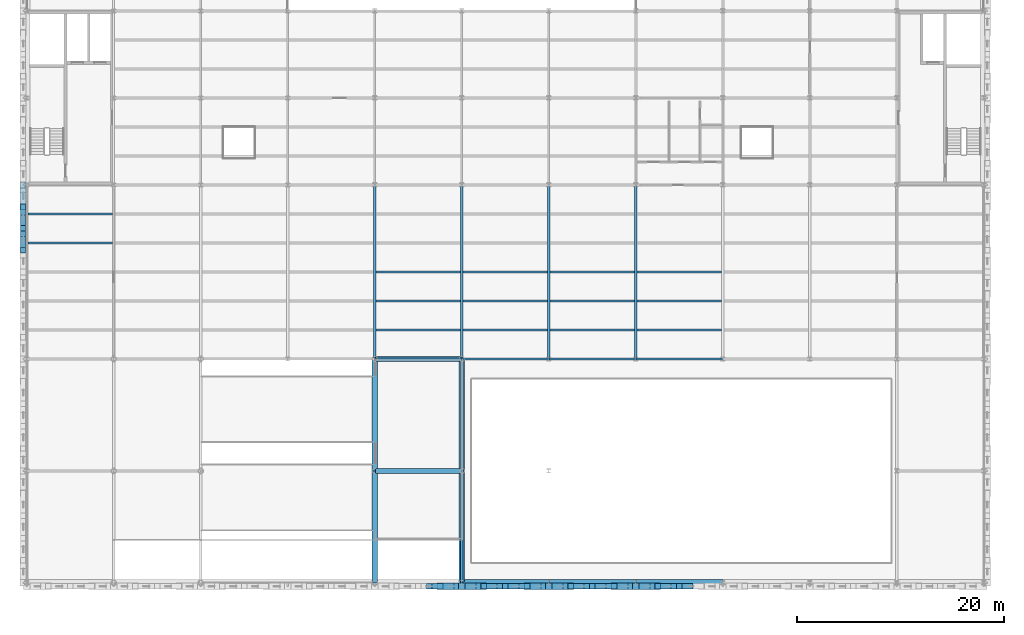
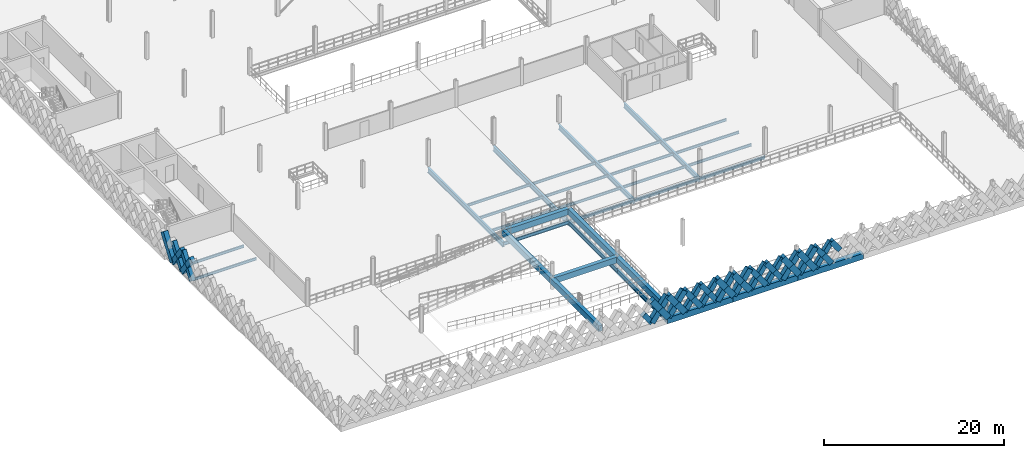
# One storey, part 20 of 79: 42 members, 33 beams.
"""IFC4 building model written with IfcOpenShell, lengths in metres."""

from ifc_helpers import new_model, si_unit, direction, frame, origin, origin_2d, place, context, subcontext, project, spatial, rectangle, i_section, extrude, material, material_profile, profile_set, type_object, element, save


model = new_model("IFC4")

# Units and contexts
model_context = context("Model", 3, precision=1e-05, world=origin(), true_north=direction((0.0, 1.0)))
body_context = subcontext(model_context, "Body", "Model", "MODEL_VIEW")
ifc_project = project(units=[si_unit("LENGTHUNIT", "METRE"), si_unit("AREAUNIT", "SQUARE_METRE"), si_unit("VOLUMEUNIT", "CUBIC_METRE"), si_unit("PLANEANGLEUNIT", "RADIAN"), si_unit("MASSUNIT", "GRAM", prefix="KILO"), si_unit("THERMODYNAMICTEMPERATUREUNIT", "KELVIN"), si_unit("POWERUNIT", "WATT")], contexts=[model_context])

# Site, building, storey
site_placement = place(None, origin())
site = spatial("IfcSite", under=ifc_project, at=site_placement, CompositionType="ELEMENT")
building_placement = place(site_placement, origin())
building = spatial("IfcBuilding", under=site, at=building_placement, Name="Tembeka Court Mobility Hub", CompositionType="ELEMENT")
storey_placement = place(building_placement, frame((0.0, 0.0, 9.0)))
storey = spatial("IfcBuildingStorey", under=building, at=storey_placement, Name="L02", CompositionType="ELEMENT", Elevation=9.0)

# Beams
ifc_material_1 = material(Name="Steel S355", Category="steel")
ifc_material_profile_1 = material_profile(ifc_material_1, i_section(OverallWidth=0.18994140625, OverallDepth=0.45703125, WebThickness=0.009033203125, FlangeThickness=0.014404296875, FilletRadius=0.01025390625, at=origin_2d()), Name="UKB 457x191x74")
ifc_profile_set_1 = profile_set([ifc_material_profile_1], Name="Steel S355")
beam_type_1 = type_object("IfcBeamType", Name="BM-B01", PredefinedType="BEAM", material=ifc_profile_set_1)
for number, where, z_axis, x_axis, name in (
    (1, (33.60009765625, 21.60009765625, -0.448486328125), (1.0, 0.0, 0.0), (0.0, 1.0, 0.0), "Beam B01 (BM-L02-X1197)"),
    (2, (42.0, 21.60009765625, -0.448486328125), (1.0, 0.0, 0.0), (0.0, 1.0, 0.0), "Beam B01 (BM-L02-X1198)"),
):
    element("IfcBeam", number, at=place(storey_placement, frame(where, z_axis=z_axis, x_axis=x_axis)), inside=storey, type_object=beam_type_1, Name=name, PredefinedType="BEAM", context=body_context, shape_type="SweptSolid", body=[
        extrude(i_section(OverallWidth=0.18994140625, OverallDepth=0.45703125, WebThickness=0.009033203125, FlangeThickness=0.014404296875, FilletRadius=0.01025390625, at=origin_2d()), origin(), (0.0, 0.0, 1.0), 8.39990234375),
    ])
beam_1_placement = place(storey_placement, frame((50.39990234375, 21.60009765625, -0.448486328125), z_axis=(1.0, 0.0, 0.0), x_axis=(0.0, 1.0, 0.0)))
element("IfcBeam", 3, at=beam_1_placement, inside=storey, type_object=beam_type_1, Name="Beam B01 (BM-L02-X1199)", PredefinedType="BEAM", context=body_context, shape_type="SweptSolid", body=[
    extrude(i_section(OverallWidth=0.18994140625, OverallDepth=0.45703125, WebThickness=0.009033203125, FlangeThickness=0.014404296875, FilletRadius=0.01025390625, at=origin_2d()), origin(), (0.0, 0.0, 1.0), 8.400146484375),
])
beam_2_placement = place(storey_placement, frame((58.800048828125, 21.60009765625, -0.448486328125), z_axis=(1.0, 0.0, 0.0), x_axis=(0.0, 1.0, 0.0)))
element("IfcBeam", 4, at=beam_2_placement, inside=storey, type_object=beam_type_1, Name="Beam B01 (BM-L02-X1200)", PredefinedType="BEAM", context=body_context, shape_type="SweptSolid", body=[
    extrude(i_section(OverallWidth=0.18994140625, OverallDepth=0.45703125, WebThickness=0.009033203125, FlangeThickness=0.014404296875, FilletRadius=0.01025390625, at=origin_2d()), origin(), (0.0, 0.0, 1.0), 8.39990234375),
])
ifc_material_2 = material(Name="Concrete C40/50", Category="concrete")
ifc_material_profile_2 = material_profile(ifc_material_2, rectangle(XDim=0.5, YDim=0.800048828125, at=origin_2d()), Name="RC-BM 500x800")
ifc_profile_set_2 = profile_set([ifc_material_profile_2], Name="Concrete C40/50")
beam_type_2 = type_object("IfcBeamType", Name="BM-B05", PredefinedType="BEAM", material=ifc_profile_set_2)
for number, where, z_axis, x_axis, name in (
    (5, (33.695068359375, 10.800048828125, 1.14990234375), (1.0, 0.0, 0.0), (0.0, 1.0, 0.0), "Car park vehicle ramp South R2 L02 half-landing tie beam EX2"),
    (6, (33.695068359375, 21.60009765625, 1.14990234375), (1.0, 0.0, 0.0), (0.0, 1.0, 0.0), "Car park vehicle ramp South R2 L02 half-landing tie beam EX3"),
):
    element("IfcBeam", number, at=place(storey_placement, frame(where, z_axis=z_axis, x_axis=x_axis)), inside=storey, type_object=beam_type_2, Name=name, PredefinedType="BEAM", context=body_context, shape_type="SweptSolid", body=[
        extrude(rectangle(XDim=0.5, YDim=0.800048828125, at=origin_2d()), origin(), (0.0, 0.0, 1.0), 8.2099609375),
    ])
for number, where, z_axis, x_axis, name in (
    (7, (33.60009765625, 0.0, 1.14990234375), (0.0, 1.0, 0.0), (-1.0, 0.0, 0.0), "Car park vehicle ramp South R2 L02 half-landing beam EM1"),
    (8, (33.60009765625, 10.800048828125, 1.14990234375), (0.0, 1.0, 0.0), (-1.0, 0.0, 0.0), "Car park vehicle ramp South R2 L02 half-landing beam EM2"),
    (9, (42.0, 0.0, 1.14990234375), (0.0, 1.0, 0.0), (-1.0, 0.0, 0.0), "Car park vehicle ramp South R2 L02 half-landing beam EE1"),
    (10, (42.0, 10.800048828125, 1.14990234375), (0.0, 1.0, 0.0), (-1.0, 0.0, 0.0), "Car park vehicle ramp South R2 L02 half-landing beam EE2"),
):
    element("IfcBeam", number, at=place(storey_placement, frame(where, z_axis=z_axis, x_axis=x_axis)), inside=storey, type_object=beam_type_2, Name=name, PredefinedType="BEAM", context=body_context, shape_type="SweptSolid", body=[
        extrude(rectangle(XDim=0.5, YDim=0.800048828125, at=origin_2d()), origin(), (0.0, 0.0, 1.0), 10.800048828125),
    ])
ifc_material_profile_3 = material_profile(ifc_material_1, i_section(OverallWidth=0.25390625, OverallDepth=0.68408203125, WebThickness=0.012451171875, FlangeThickness=0.01904296875, FilletRadius=0.01513671875, at=origin_2d()), Name="UKB 686x254x140")
ifc_profile_set_3 = profile_set([ifc_material_profile_3], Name="Steel S355")
beam_type_3 = type_object("IfcBeamType", Name="BM-G01", PredefinedType="USERDEFINED", material=ifc_profile_set_3)
for number, where, z_axis, x_axis, name in (
    (11, (33.60009765625, 21.60009765625, -0.56201171875), (0.0, 1.0, 0.0), (-1.0, 0.0, 0.0), "Beam G01 (BM-L02-Y1347)"),
    (12, (42.0, 21.60009765625, -0.56201171875), (0.0, 1.0, 0.0), (-1.0, 0.0, 0.0), "Beam G01 (BM-L02-Y1355)"),
    (13, (50.39990234375, 21.60009765625, -0.56201171875), (0.0, 1.0, 0.0), (-1.0, 0.0, 0.0), "Beam G01 (BM-L02-Y1363)"),
    (14, (58.800048828125, 21.60009765625, -0.56201171875), (0.0, 1.0, 0.0), (-1.0, 0.0, 0.0), "Beam G01 (BM-L02-Y1369)"),
):
    element("IfcBeam", number, at=place(storey_placement, frame(where, z_axis=z_axis, x_axis=x_axis)), inside=storey, type_object=beam_type_3, Name=name, ObjectType="GIRDER", PredefinedType="USERDEFINED", context=body_context, shape_type="SweptSolid", body=[
        extrude(i_section(OverallWidth=0.25390625, OverallDepth=0.68408203125, WebThickness=0.012451171875, FlangeThickness=0.01904296875, FilletRadius=0.01513671875, at=origin_2d()), origin(), (0.0, 0.0, 1.0), 16.7998046875),
    ])
ifc_material_profile_4 = material_profile(ifc_material_1, i_section(OverallWidth=0.22900390625, OverallDepth=0.612060546875, WebThickness=0.011962890625, FlangeThickness=0.01953125, FilletRadius=0.0126953125, at=origin_2d()), Name="UKB 610x229x125")
ifc_profile_set_4 = profile_set([ifc_material_profile_4], Name="Steel S355")
beam_type_4 = type_object("IfcBeamType", Name="BM-G02", PredefinedType="USERDEFINED", material=ifc_profile_set_4)
for number, where, z_axis, x_axis, name in (
    (15, (42.0, 0.0, -0.52587890625), (0.0, 1.0, 0.0), (-1.0, 0.0, 0.0), "Beam G02 (BM-L02-Y1353)"),
    (16, (42.0, 10.800048828125, -0.52587890625), (0.0, 1.0, 0.0), (-1.0, 0.0, 0.0), "Beam G02 (BM-L02-Y1354)"),
):
    element("IfcBeam", number, at=place(storey_placement, frame(where, z_axis=z_axis, x_axis=x_axis)), inside=storey, type_object=beam_type_4, Name=name, ObjectType="GIRDER", PredefinedType="USERDEFINED", context=body_context, shape_type="SweptSolid", body=[
        extrude(i_section(OverallWidth=0.22900390625, OverallDepth=0.612060546875, WebThickness=0.011962890625, FlangeThickness=0.01953125, FilletRadius=0.0126953125, at=origin_2d()), origin(), (0.0, 0.0, 1.0), 10.800048828125),
    ])
ifc_material_profile_5 = material_profile(ifc_material_1, i_section(OverallWidth=0.172119140625, OverallDepth=0.35498046875, WebThickness=0.00732421875, FlangeThickness=0.011474609375, FilletRadius=0.01025390625, at=origin_2d()), Name="UKB 356x171x51")
ifc_profile_set_5 = profile_set([ifc_material_profile_5], Name="Steel S355")
beam_type_5 = type_object("IfcBeamType", Name="BM-J01", PredefinedType="JOIST", material=ifc_profile_set_5)
for number, where, z_axis, x_axis, name in (
    (17, (0.1220703125, 32.800048828125, -0.3974609375), (1.0, 0.0, 0.0), (0.0, 1.0, 0.0), "Beam J01 (JST-L02-1442)"),
    (18, (0.1220703125, 35.60009765625, -0.3974609375), (1.0, 0.0, 0.0), (0.0, 1.0, 0.0), "Beam J01 (JST-L02-1443)"),
    (19, (33.721923828125, 24.39990234375, -0.3974609375), (1.0, 0.0, 0.0), (0.0, 1.0, 0.0), "Beam J01 (JST-L02-1509)"),
    (20, (33.721923828125, 27.199951171875, -0.3974609375), (1.0, 0.0, 0.0), (0.0, 1.0, 0.0), "Beam J01 (JST-L02-1510)"),
    (21, (33.721923828125, 30.0, -0.3974609375), (1.0, 0.0, 0.0), (0.0, 1.0, 0.0), "Beam J01 (JST-L02-1511)"),
    (22, (42.1220703125, 24.39990234375, -0.3974609375), (1.0, 0.0, 0.0), (0.0, 1.0, 0.0), "Beam J01 (JST-L02-1527)"),
    (23, (42.1220703125, 27.199951171875, -0.3974609375), (1.0, 0.0, 0.0), (0.0, 1.0, 0.0), "Beam J01 (JST-L02-1528)"),
    (24, (42.1220703125, 30.0, -0.3974609375), (1.0, 0.0, 0.0), (0.0, 1.0, 0.0), "Beam J01 (JST-L02-1529)"),
    (25, (50.52197265625, 24.39990234375, -0.3974609375), (1.0, 0.0, 0.0), (0.0, 1.0, 0.0), "Beam J01 (JST-L02-1545)"),
    (26, (50.52197265625, 27.199951171875, -0.3974609375), (1.0, 0.0, 0.0), (0.0, 1.0, 0.0), "Beam J01 (JST-L02-1546)"),
    (27, (50.52197265625, 30.0, -0.3974609375), (1.0, 0.0, 0.0), (0.0, 1.0, 0.0), "Beam J01 (JST-L02-1547)"),
):
    element("IfcBeam", number, at=place(storey_placement, frame(where, z_axis=z_axis, x_axis=x_axis)), inside=storey, type_object=beam_type_5, Name=name, PredefinedType="JOIST", context=body_context, shape_type="SweptSolid", body=[
        extrude(i_section(OverallWidth=0.172119140625, OverallDepth=0.35498046875, WebThickness=0.00732421875, FlangeThickness=0.011474609375, FilletRadius=0.01025390625, at=origin_2d()), origin(), (0.0, 0.0, 1.0), 8.156005859375),
    ])
for number, where, z_axis, x_axis, name in (
    (28, (58.922119140625, 24.39990234375, -0.3974609375), (1.0, 0.0, 0.0), (0.0, 1.0, 0.0), "Beam J01 (JST-L02-1563)"),
    (29, (58.922119140625, 27.199951171875, -0.3974609375), (1.0, 0.0, 0.0), (0.0, 1.0, 0.0), "Beam J01 (JST-L02-1564)"),
    (30, (58.922119140625, 30.0, -0.3974609375), (1.0, 0.0, 0.0), (0.0, 1.0, 0.0), "Beam J01 (JST-L02-1565)"),
):
    element("IfcBeam", number, at=place(storey_placement, frame(where, z_axis=z_axis, x_axis=x_axis)), inside=storey, type_object=beam_type_5, Name=name, PredefinedType="JOIST", context=body_context, shape_type="SweptSolid", body=[
        extrude(i_section(OverallWidth=0.172119140625, OverallDepth=0.35498046875, WebThickness=0.00732421875, FlangeThickness=0.011474609375, FilletRadius=0.01025390625, at=origin_2d()), origin(), (0.0, 0.0, 1.0), 8.15576171875),
    ])
ifc_material_3 = material(Name="Precast concrete C45/55", Category="concrete")
ifc_material_profile_6 = material_profile(ifc_material_3, rectangle(XDim=0.64990234375, YDim=0.800048828125, at=origin_2d()), Name="PC-SP 650x800")
ifc_profile_set_6 = profile_set([ifc_material_profile_6], Name="Precast concrete C45/55")
beam_type_6 = type_object("IfcBeamType", Name="BM-SP01", PredefinedType="SPANDREL", material=ifc_profile_set_6)
beam_3_placement = place(storey_placement, frame((42.0, 0.0, -0.6201171875), z_axis=(1.0, 0.0, 0.0), x_axis=(0.0, 1.0, 0.0)))
element("IfcBeam", 31, at=beam_3_placement, inside=storey, type_object=beam_type_6, Name="Beam SP01 (BM-L02-X1174)", PredefinedType="SPANDREL", context=body_context, shape_type="SweptSolid", body=[
    extrude(rectangle(XDim=0.64990234375, YDim=0.800048828125, at=origin_2d()), origin(), (0.0, 0.0, 1.0), 8.39990234375),
])
beam_4_placement = place(storey_placement, frame((50.39990234375, 0.0, -0.6201171875), z_axis=(1.0, 0.0, 0.0), x_axis=(0.0, 1.0, 0.0)))
element("IfcBeam", 32, at=beam_4_placement, inside=storey, type_object=beam_type_6, Name="Beam SP01 (BM-L02-X1175)", PredefinedType="SPANDREL", context=body_context, shape_type="SweptSolid", body=[
    extrude(rectangle(XDim=0.64990234375, YDim=0.800048828125, at=origin_2d()), origin(), (0.0, 0.0, 1.0), 8.400146484375),
])
beam_5_placement = place(storey_placement, frame((58.800048828125, 0.0, -0.6201171875), z_axis=(1.0, 0.0, 0.0), x_axis=(0.0, 1.0, 0.0)))
element("IfcBeam", 33, at=beam_5_placement, inside=storey, type_object=beam_type_6, Name="Beam SP01 (BM-L02-X1176)", PredefinedType="SPANDREL", context=body_context, shape_type="SweptSolid", body=[
    extrude(rectangle(XDim=0.64990234375, YDim=0.800048828125, at=origin_2d()), origin(), (0.0, 0.0, 1.0), 8.39990234375),
])

# Members
ifc_material_profile_7 = material_profile(ifc_material_3, rectangle(XDim=0.5, YDim=0.64990234375, at=origin_2d()), Name="PC-DIAG 500x650")
ifc_profile_set_7 = profile_set([ifc_material_profile_7], Name="Precast concrete C45/55")
member_type_1 = type_object("IfcMemberType", Name="MEM-DL01", PredefinedType="BRACE", material=ifc_profile_set_7)
member_1_placement = place(storey_placement, frame((39.89990234375, -0.340087890625, 0.02001953125), z_axis=(-0.582454804382, 0.0, 0.812863088627), x_axis=(0.0, -1.0, 0.0)))
element("IfcMember", 34, at=member_1_placement, inside=storey, type_object=member_type_1, Name="Precast diamond lattice split lower strand DL01 (L02-207B1)", PredefinedType="BRACE", context=body_context, shape_type="SweptSolid", body=[
    extrude(rectangle(XDim=0.5, YDim=0.64990234375, at=origin_2d()), origin(), (0.0, 0.0, 1.0), 1.802490234375),
])
member_2_placement = place(storey_placement, frame((44.10009765625, -0.340087890625, 0.02001953125), z_axis=(0.58253161945, 0.0, 0.812808041509), x_axis=(0.0, 1.0, 0.0)))
element("IfcMember", 35, at=member_2_placement, inside=storey, type_object=member_type_1, Name="Precast diamond lattice continuous strand DL01 (L02-210A)", PredefinedType="BRACE", context=body_context, shape_type="SweptSolid", body=[
    extrude(rectangle(XDim=0.5, YDim=0.64990234375, at=origin_2d()), origin(), (0.0, 0.0, 1.0), 3.604736328125),
])
member_3_placement = place(storey_placement, frame((46.199951171875, -0.340087890625, 0.02001953125), z_axis=(-0.582544294934, 0.0, 0.812798956963), x_axis=(0.0, -1.0, 0.0)))
element("IfcMember", 36, at=member_3_placement, inside=storey, type_object=member_type_1, Name="Precast diamond lattice split lower strand DL01 (L02-210B1)", PredefinedType="BRACE", context=body_context, shape_type="SweptSolid", body=[
    extrude(rectangle(XDim=0.5, YDim=0.64990234375, at=origin_2d()), origin(), (0.0, 0.0, 1.0), 1.802490234375),
])
member_4_placement = place(storey_placement, frame((45.14990234375, -0.340087890625, 1.485107421875), z_axis=(-0.582518941428, 0.0, 0.812817127574), x_axis=(0.0, -1.0, 0.0)))
element("IfcMember", 37, at=member_4_placement, inside=storey, type_object=member_type_1, Name="Precast diamond lattice split upper strand DL01 (L02-210B2)", PredefinedType="BRACE", context=body_context, shape_type="SweptSolid", body=[
    extrude(rectangle(XDim=0.5, YDim=0.64990234375, at=origin_2d()), origin(), (0.0, 0.0, 1.0), 1.80224609375),
])
member_5_placement = place(storey_placement, frame((46.199951171875, -0.340087890625, 0.02001953125), z_axis=(0.582576362011, 0.0, 0.812775973086), x_axis=(0.0, 1.0, 0.0)))
element("IfcMember", 38, at=member_5_placement, inside=storey, type_object=member_type_1, Name="Precast diamond lattice continuous strand DL01 (L02-211A)", PredefinedType="BRACE", context=body_context, shape_type="SweptSolid", body=[
    extrude(rectangle(XDim=0.5, YDim=0.64990234375, at=origin_2d()), origin(), (0.0, 0.0, 1.0), 3.604736328125),
])
member_6_placement = place(storey_placement, frame((48.300048828125, -0.340087890625, 0.02001953125), z_axis=(-0.582544294934, 0.0, 0.812798956963), x_axis=(0.0, -1.0, 0.0)))
element("IfcMember", 39, at=member_6_placement, inside=storey, type_object=member_type_1, Name="Precast diamond lattice split lower strand DL01 (L02-211B1)", PredefinedType="BRACE", context=body_context, shape_type="SweptSolid", body=[
    extrude(rectangle(XDim=0.5, YDim=0.64990234375, at=origin_2d()), origin(), (0.0, 0.0, 1.0), 1.802490234375),
])
member_7_placement = place(storey_placement, frame((47.25, -0.340087890625, 1.485107421875), z_axis=(-0.582608431711, 0.0, 0.812752985414), x_axis=(0.0, -1.0, 0.0)))
element("IfcMember", 40, at=member_7_placement, inside=storey, type_object=member_type_1, Name="Precast diamond lattice split upper strand DL01 (L02-211B2)", PredefinedType="BRACE", context=body_context, shape_type="SweptSolid", body=[
    extrude(rectangle(XDim=0.5, YDim=0.64990234375, at=origin_2d()), origin(), (0.0, 0.0, 1.0), 1.80224609375),
])
member_8_placement = place(storey_placement, frame((52.5, -0.340087890625, 0.02001953125), z_axis=(0.582576362011, 0.0, 0.812775973086), x_axis=(0.0, 1.0, 0.0)))
element("IfcMember", 41, at=member_8_placement, inside=storey, type_object=member_type_1, Name="Precast diamond lattice continuous strand DL01 (L02-214A)", PredefinedType="BRACE", context=body_context, shape_type="SweptSolid", body=[
    extrude(rectangle(XDim=0.5, YDim=0.64990234375, at=origin_2d()), origin(), (0.0, 0.0, 1.0), 3.604736328125),
])
member_9_placement = place(storey_placement, frame((54.60009765625, -0.340087890625, 0.02001953125), z_axis=(-0.582544294934, 0.0, 0.812798956963), x_axis=(0.0, -1.0, 0.0)))
element("IfcMember", 42, at=member_9_placement, inside=storey, type_object=member_type_1, Name="Precast diamond lattice split lower strand DL01 (L02-214B1)", PredefinedType="BRACE", context=body_context, shape_type="SweptSolid", body=[
    extrude(rectangle(XDim=0.5, YDim=0.64990234375, at=origin_2d()), origin(), (0.0, 0.0, 1.0), 1.802490234375),
])
member_10_placement = place(storey_placement, frame((53.550048828125, -0.340087890625, 1.485107421875), z_axis=(-0.582608431711, 0.0, 0.812752985414), x_axis=(0.0, -1.0, 0.0)))
element("IfcMember", 43, at=member_10_placement, inside=storey, type_object=member_type_1, Name="Precast diamond lattice split upper strand DL01 (L02-214B2)", PredefinedType="BRACE", context=body_context, shape_type="SweptSolid", body=[
    extrude(rectangle(XDim=0.5, YDim=0.64990234375, at=origin_2d()), origin(), (0.0, 0.0, 1.0), 1.80224609375),
])
member_11_placement = place(storey_placement, frame((54.60009765625, -0.340087890625, 0.02001953125), z_axis=(0.58253161945, 0.0, 0.812808041509), x_axis=(0.0, 1.0, 0.0)))
element("IfcMember", 44, at=member_11_placement, inside=storey, type_object=member_type_1, Name="Precast diamond lattice continuous strand DL01 (L02-215A)", PredefinedType="BRACE", context=body_context, shape_type="SweptSolid", body=[
    extrude(rectangle(XDim=0.5, YDim=0.64990234375, at=origin_2d()), origin(), (0.0, 0.0, 1.0), 3.604736328125),
])
member_12_placement = place(storey_placement, frame((56.699951171875, -0.340087890625, 0.02001953125), z_axis=(-0.582544294934, 0.0, 0.812798956963), x_axis=(0.0, -1.0, 0.0)))
element("IfcMember", 45, at=member_12_placement, inside=storey, type_object=member_type_1, Name="Precast diamond lattice split lower strand DL01 (L02-215B1)", PredefinedType="BRACE", context=body_context, shape_type="SweptSolid", body=[
    extrude(rectangle(XDim=0.5, YDim=0.64990234375, at=origin_2d()), origin(), (0.0, 0.0, 1.0), 1.802490234375),
])
member_13_placement = place(storey_placement, frame((55.64990234375, -0.340087890625, 1.485107421875), z_axis=(-0.582518941428, 0.0, 0.812817127574), x_axis=(0.0, -1.0, 0.0)))
element("IfcMember", 46, at=member_13_placement, inside=storey, type_object=member_type_1, Name="Precast diamond lattice split upper strand DL01 (L02-215B2)", PredefinedType="BRACE", context=body_context, shape_type="SweptSolid", body=[
    extrude(rectangle(XDim=0.5, YDim=0.64990234375, at=origin_2d()), origin(), (0.0, 0.0, 1.0), 1.80224609375),
])
member_14_placement = place(storey_placement, frame((60.89990234375, -0.340087890625, 0.02001953125), z_axis=(0.582576362011, 0.0, 0.812775973086), x_axis=(0.0, 1.0, 0.0)))
element("IfcMember", 47, at=member_14_placement, inside=storey, type_object=member_type_1, Name="Precast diamond lattice continuous strand DL01 (L02-218A)", PredefinedType="BRACE", context=body_context, shape_type="SweptSolid", body=[
    extrude(rectangle(XDim=0.5, YDim=0.64990234375, at=origin_2d()), origin(), (0.0, 0.0, 1.0), 3.604736328125),
])
member_15_placement = place(storey_placement, frame((63.0, -0.340087890625, 0.02001953125), z_axis=(-0.582544294934, 0.0, 0.812798956963), x_axis=(0.0, -1.0, 0.0)))
element("IfcMember", 48, at=member_15_placement, inside=storey, type_object=member_type_1, Name="Precast diamond lattice split lower strand DL01 (L02-218B1)", PredefinedType="BRACE", context=body_context, shape_type="SweptSolid", body=[
    extrude(rectangle(XDim=0.5, YDim=0.64990234375, at=origin_2d()), origin(), (0.0, 0.0, 1.0), 1.802490234375),
])
for number, where, z_axis, x_axis, name in (
    (49, (61.949951171875, -0.340087890625, 1.485107421875), (-0.582608431711, 0.0, 0.812752985414), (0.0, -1.0, 0.0), "Precast diamond lattice split upper strand DL01 (L02-218B2)"),
    (50, (64.050048828125, -0.340087890625, 1.485107421875), (-0.582608431711, 0.0, 0.812752985414), (0.0, -1.0, 0.0), "Precast diamond lattice split upper strand DL01 (L02-219B2)"),
):
    element("IfcMember", number, at=place(storey_placement, frame(where, z_axis=z_axis, x_axis=x_axis)), inside=storey, type_object=member_type_1, Name=name, PredefinedType="BRACE", context=body_context, shape_type="SweptSolid", body=[
        extrude(rectangle(XDim=0.5, YDim=0.64990234375, at=origin_2d()), origin(), (0.0, 0.0, 1.0), 1.80224609375),
    ])
member_16_placement = place(storey_placement, frame((-0.340087890625, 32.10009765625, 0.02001953125), z_axis=(0.0, 0.58253161945, 0.812808041509), x_axis=(-1.0, 0.0, 0.0)))
element("IfcMember", 51, at=member_16_placement, inside=storey, type_object=member_type_1, Name="Precast diamond lattice continuous strand DL01 (L02-292C)", PredefinedType="BRACE", context=body_context, shape_type="SweptSolid", body=[
    extrude(rectangle(XDim=0.5, YDim=0.64990234375, at=origin_2d()), origin(), (0.0, 0.0, 1.0), 3.604736328125),
])
member_17_placement = place(storey_placement, frame((-0.340087890625, 34.199951171875, 0.02001953125), z_axis=(0.0, -0.582544294934, 0.812798956963), x_axis=(1.0, 0.0, 0.0)))
element("IfcMember", 52, at=member_17_placement, inside=storey, type_object=member_type_1, Name="Precast diamond lattice split lower strand DL01 (L02-292D1)", PredefinedType="BRACE", context=body_context, shape_type="SweptSolid", body=[
    extrude(rectangle(XDim=0.5, YDim=0.64990234375, at=origin_2d()), origin(), (0.0, 0.0, 1.0), 1.802490234375),
])
member_18_placement = place(storey_placement, frame((-0.340087890625, 33.14990234375, 1.485107421875), z_axis=(0.0, -0.582518941428, 0.812817127574), x_axis=(1.0, 0.0, 0.0)))
element("IfcMember", 53, at=member_18_placement, inside=storey, type_object=member_type_1, Name="Precast diamond lattice split upper strand DL01 (L02-292D2)", PredefinedType="BRACE", context=body_context, shape_type="SweptSolid", body=[
    extrude(rectangle(XDim=0.5, YDim=0.64990234375, at=origin_2d()), origin(), (0.0, 0.0, 1.0), 1.80224609375),
])
member_19_placement = place(storey_placement, frame((-0.340087890625, 34.199951171875, 0.02001953125), z_axis=(0.0, 0.582576362011, 0.812775973086), x_axis=(-1.0, 0.0, 0.0)))
element("IfcMember", 54, at=member_19_placement, inside=storey, type_object=member_type_1, Name="Precast diamond lattice continuous strand DL01 (L02-293C)", PredefinedType="BRACE", context=body_context, shape_type="SweptSolid", body=[
    extrude(rectangle(XDim=0.5, YDim=0.64990234375, at=origin_2d()), origin(), (0.0, 0.0, 1.0), 3.604736328125),
])
member_20_placement = place(storey_placement, frame((-0.340087890625, 36.300048828125, 0.02001953125), z_axis=(0.0, -0.582544294934, 0.812798956963), x_axis=(1.0, 0.0, 0.0)))
element("IfcMember", 55, at=member_20_placement, inside=storey, type_object=member_type_1, Name="Precast diamond lattice split lower strand DL01 (L02-293D1)", PredefinedType="BRACE", context=body_context, shape_type="SweptSolid", body=[
    extrude(rectangle(XDim=0.5, YDim=0.64990234375, at=origin_2d()), origin(), (0.0, 0.0, 1.0), 1.802490234375),
])
member_21_placement = place(storey_placement, frame((-0.340087890625, 35.25, 1.485107421875), z_axis=(0.0, -0.582608431711, 0.812752985414), x_axis=(1.0, 0.0, 0.0)))
element("IfcMember", 56, at=member_21_placement, inside=storey, type_object=member_type_1, Name="Precast diamond lattice split upper strand DL01 (L02-293D2)", PredefinedType="BRACE", context=body_context, shape_type="SweptSolid", body=[
    extrude(rectangle(XDim=0.5, YDim=0.64990234375, at=origin_2d()), origin(), (0.0, 0.0, 1.0), 1.80224609375),
])
ifc_material_profile_8 = material_profile(ifc_material_3, rectangle(XDim=0.60009765625, YDim=0.75, at=origin_2d()), Name="PC-DIAG 600x750")
ifc_profile_set_8 = profile_set([ifc_material_profile_8], Name="Precast concrete C45/55")
member_type_2 = type_object("IfcMemberType", Name="MEM-DL02", PredefinedType="BRACE", material=ifc_profile_set_8)
member_22_placement = place(storey_placement, frame((39.89990234375, -0.340087890625, 0.02001953125), z_axis=(0.582576362011, 0.0, 0.812775973086), x_axis=(0.0, 1.0, 0.0)))
element("IfcMember", 57, at=member_22_placement, inside=storey, type_object=member_type_2, Name="Precast diamond lattice continuous strand DL02 (L02-208A)", PredefinedType="BRACE", context=body_context, shape_type="SweptSolid", body=[
    extrude(rectangle(XDim=0.60009765625, YDim=0.75, at=origin_2d()), origin(), (0.0, 0.0, 1.0), 3.604736328125),
])
member_23_placement = place(storey_placement, frame((42.0, -0.340087890625, 0.02001953125), z_axis=(-0.582544294934, 0.0, 0.812798956963), x_axis=(0.0, -1.0, 0.0)))
element("IfcMember", 58, at=member_23_placement, inside=storey, type_object=member_type_2, Name="Precast diamond lattice split lower strand DL02 (L02-208B1)", PredefinedType="BRACE", context=body_context, shape_type="SweptSolid", body=[
    extrude(rectangle(XDim=0.60009765625, YDim=0.75, at=origin_2d()), origin(), (0.0, 0.0, 1.0), 1.802490234375),
])
member_24_placement = place(storey_placement, frame((40.949951171875, -0.340087890625, 1.485107421875), z_axis=(-0.582608431711, 0.0, 0.812752985414), x_axis=(0.0, -1.0, 0.0)))
element("IfcMember", 59, at=member_24_placement, inside=storey, type_object=member_type_2, Name="Precast diamond lattice split upper strand DL02 (L02-208B2)", PredefinedType="BRACE", context=body_context, shape_type="SweptSolid", body=[
    extrude(rectangle(XDim=0.60009765625, YDim=0.75, at=origin_2d()), origin(), (0.0, 0.0, 1.0), 1.80224609375),
])
member_25_placement = place(storey_placement, frame((42.0, -0.340087890625, 0.02001953125), z_axis=(0.582576362011, 0.0, 0.812775973086), x_axis=(0.0, 1.0, 0.0)))
element("IfcMember", 60, at=member_25_placement, inside=storey, type_object=member_type_2, Name="Precast diamond lattice continuous strand DL02 (L02-209A)", PredefinedType="BRACE", context=body_context, shape_type="SweptSolid", body=[
    extrude(rectangle(XDim=0.60009765625, YDim=0.75, at=origin_2d()), origin(), (0.0, 0.0, 1.0), 3.604736328125),
])
member_26_placement = place(storey_placement, frame((44.10009765625, -0.340087890625, 0.02001953125), z_axis=(-0.582544294934, 0.0, 0.812798956963), x_axis=(0.0, -1.0, 0.0)))
element("IfcMember", 61, at=member_26_placement, inside=storey, type_object=member_type_2, Name="Precast diamond lattice split lower strand DL02 (L02-209B1)", PredefinedType="BRACE", context=body_context, shape_type="SweptSolid", body=[
    extrude(rectangle(XDim=0.60009765625, YDim=0.75, at=origin_2d()), origin(), (0.0, 0.0, 1.0), 1.802490234375),
])
member_27_placement = place(storey_placement, frame((43.050048828125, -0.340087890625, 1.485107421875), z_axis=(-0.582608431711, 0.0, 0.812752985414), x_axis=(0.0, -1.0, 0.0)))
element("IfcMember", 62, at=member_27_placement, inside=storey, type_object=member_type_2, Name="Precast diamond lattice split upper strand DL02 (L02-209B2)", PredefinedType="BRACE", context=body_context, shape_type="SweptSolid", body=[
    extrude(rectangle(XDim=0.60009765625, YDim=0.75, at=origin_2d()), origin(), (0.0, 0.0, 1.0), 1.80224609375),
])
member_28_placement = place(storey_placement, frame((48.300048828125, -0.340087890625, 0.02001953125), z_axis=(0.58253161945, 0.0, 0.812808041509), x_axis=(0.0, 1.0, 0.0)))
element("IfcMember", 63, at=member_28_placement, inside=storey, type_object=member_type_2, Name="Precast diamond lattice continuous strand DL02 (L02-212A)", PredefinedType="BRACE", context=body_context, shape_type="SweptSolid", body=[
    extrude(rectangle(XDim=0.60009765625, YDim=0.75, at=origin_2d()), origin(), (0.0, 0.0, 1.0), 3.604736328125),
])
member_29_placement = place(storey_placement, frame((50.39990234375, -0.340087890625, 0.02001953125), z_axis=(-0.582454804382, 0.0, 0.812863088627), x_axis=(0.0, -1.0, 0.0)))
element("IfcMember", 64, at=member_29_placement, inside=storey, type_object=member_type_2, Name="Precast diamond lattice split lower strand DL02 (L02-212B1)", PredefinedType="BRACE", context=body_context, shape_type="SweptSolid", body=[
    extrude(rectangle(XDim=0.60009765625, YDim=0.75, at=origin_2d()), origin(), (0.0, 0.0, 1.0), 1.802490234375),
])
member_30_placement = place(storey_placement, frame((49.35009765625, -0.340087890625, 1.485107421875), z_axis=(-0.582608431711, 0.0, 0.812752985414), x_axis=(0.0, -1.0, 0.0)))
element("IfcMember", 65, at=member_30_placement, inside=storey, type_object=member_type_2, Name="Precast diamond lattice split upper strand DL02 (L02-212B2)", PredefinedType="BRACE", context=body_context, shape_type="SweptSolid", body=[
    extrude(rectangle(XDim=0.60009765625, YDim=0.75, at=origin_2d()), origin(), (0.0, 0.0, 1.0), 1.80224609375),
])
member_31_placement = place(storey_placement, frame((50.39990234375, -0.340087890625, 0.02001953125), z_axis=(0.582576362011, 0.0, 0.812775973086), x_axis=(0.0, 1.0, 0.0)))
element("IfcMember", 66, at=member_31_placement, inside=storey, type_object=member_type_2, Name="Precast diamond lattice continuous strand DL02 (L02-213A)", PredefinedType="BRACE", context=body_context, shape_type="SweptSolid", body=[
    extrude(rectangle(XDim=0.60009765625, YDim=0.75, at=origin_2d()), origin(), (0.0, 0.0, 1.0), 3.604736328125),
])
member_32_placement = place(storey_placement, frame((52.5, -0.340087890625, 0.02001953125), z_axis=(-0.582544294934, 0.0, 0.812798956963), x_axis=(0.0, -1.0, 0.0)))
element("IfcMember", 67, at=member_32_placement, inside=storey, type_object=member_type_2, Name="Precast diamond lattice split lower strand DL02 (L02-213B1)", PredefinedType="BRACE", context=body_context, shape_type="SweptSolid", body=[
    extrude(rectangle(XDim=0.60009765625, YDim=0.75, at=origin_2d()), origin(), (0.0, 0.0, 1.0), 1.802490234375),
])
member_33_placement = place(storey_placement, frame((51.449951171875, -0.340087890625, 1.485107421875), z_axis=(-0.582608431711, 0.0, 0.812752985414), x_axis=(0.0, -1.0, 0.0)))
element("IfcMember", 68, at=member_33_placement, inside=storey, type_object=member_type_2, Name="Precast diamond lattice split upper strand DL02 (L02-213B2)", PredefinedType="BRACE", context=body_context, shape_type="SweptSolid", body=[
    extrude(rectangle(XDim=0.60009765625, YDim=0.75, at=origin_2d()), origin(), (0.0, 0.0, 1.0), 1.80224609375),
])
member_34_placement = place(storey_placement, frame((56.699951171875, -0.340087890625, 0.02001953125), z_axis=(0.582576362011, 0.0, 0.812775973086), x_axis=(0.0, 1.0, 0.0)))
element("IfcMember", 69, at=member_34_placement, inside=storey, type_object=member_type_2, Name="Precast diamond lattice continuous strand DL02 (L02-216A)", PredefinedType="BRACE", context=body_context, shape_type="SweptSolid", body=[
    extrude(rectangle(XDim=0.60009765625, YDim=0.75, at=origin_2d()), origin(), (0.0, 0.0, 1.0), 3.604736328125),
])
member_35_placement = place(storey_placement, frame((58.800048828125, -0.340087890625, 0.02001953125), z_axis=(-0.582544294934, 0.0, 0.812798956963), x_axis=(0.0, -1.0, 0.0)))
element("IfcMember", 70, at=member_35_placement, inside=storey, type_object=member_type_2, Name="Precast diamond lattice split lower strand DL02 (L02-216B1)", PredefinedType="BRACE", context=body_context, shape_type="SweptSolid", body=[
    extrude(rectangle(XDim=0.60009765625, YDim=0.75, at=origin_2d()), origin(), (0.0, 0.0, 1.0), 1.802490234375),
])
member_36_placement = place(storey_placement, frame((57.75, -0.340087890625, 1.485107421875), z_axis=(-0.582608431711, 0.0, 0.812752985414), x_axis=(0.0, -1.0, 0.0)))
element("IfcMember", 71, at=member_36_placement, inside=storey, type_object=member_type_2, Name="Precast diamond lattice split upper strand DL02 (L02-216B2)", PredefinedType="BRACE", context=body_context, shape_type="SweptSolid", body=[
    extrude(rectangle(XDim=0.60009765625, YDim=0.75, at=origin_2d()), origin(), (0.0, 0.0, 1.0), 1.80224609375),
])
member_37_placement = place(storey_placement, frame((58.800048828125, -0.340087890625, 0.02001953125), z_axis=(0.58253161945, 0.0, 0.812808041509), x_axis=(0.0, 1.0, 0.0)))
element("IfcMember", 72, at=member_37_placement, inside=storey, type_object=member_type_2, Name="Precast diamond lattice continuous strand DL02 (L02-217A)", PredefinedType="BRACE", context=body_context, shape_type="SweptSolid", body=[
    extrude(rectangle(XDim=0.60009765625, YDim=0.75, at=origin_2d()), origin(), (0.0, 0.0, 1.0), 3.604736328125),
])
member_38_placement = place(storey_placement, frame((60.89990234375, -0.340087890625, 0.02001953125), z_axis=(-0.582454804382, 0.0, 0.812863088627), x_axis=(0.0, -1.0, 0.0)))
element("IfcMember", 73, at=member_38_placement, inside=storey, type_object=member_type_2, Name="Precast diamond lattice split lower strand DL02 (L02-217B1)", PredefinedType="BRACE", context=body_context, shape_type="SweptSolid", body=[
    extrude(rectangle(XDim=0.60009765625, YDim=0.75, at=origin_2d()), origin(), (0.0, 0.0, 1.0), 1.802490234375),
])
member_39_placement = place(storey_placement, frame((59.85009765625, -0.340087890625, 1.485107421875), z_axis=(-0.582608431711, 0.0, 0.812752985414), x_axis=(0.0, -1.0, 0.0)))
element("IfcMember", 74, at=member_39_placement, inside=storey, type_object=member_type_2, Name="Precast diamond lattice split upper strand DL02 (L02-217B2)", PredefinedType="BRACE", context=body_context, shape_type="SweptSolid", body=[
    extrude(rectangle(XDim=0.60009765625, YDim=0.75, at=origin_2d()), origin(), (0.0, 0.0, 1.0), 1.80224609375),
])
member_40_placement = place(storey_placement, frame((-0.340087890625, 36.300048828125, 0.02001953125), z_axis=(0.0, 0.58253161945, 0.812808041509), x_axis=(-1.0, 0.0, 0.0)))
element("IfcMember", 75, at=member_40_placement, inside=storey, type_object=member_type_2, Name="Precast diamond lattice continuous strand DL02 (L02-294C)", PredefinedType="BRACE", context=body_context, shape_type="SweptSolid", body=[
    extrude(rectangle(XDim=0.60009765625, YDim=0.75, at=origin_2d()), origin(), (0.0, 0.0, 1.0), 3.604736328125),
])

save(model, "model.ifc")
